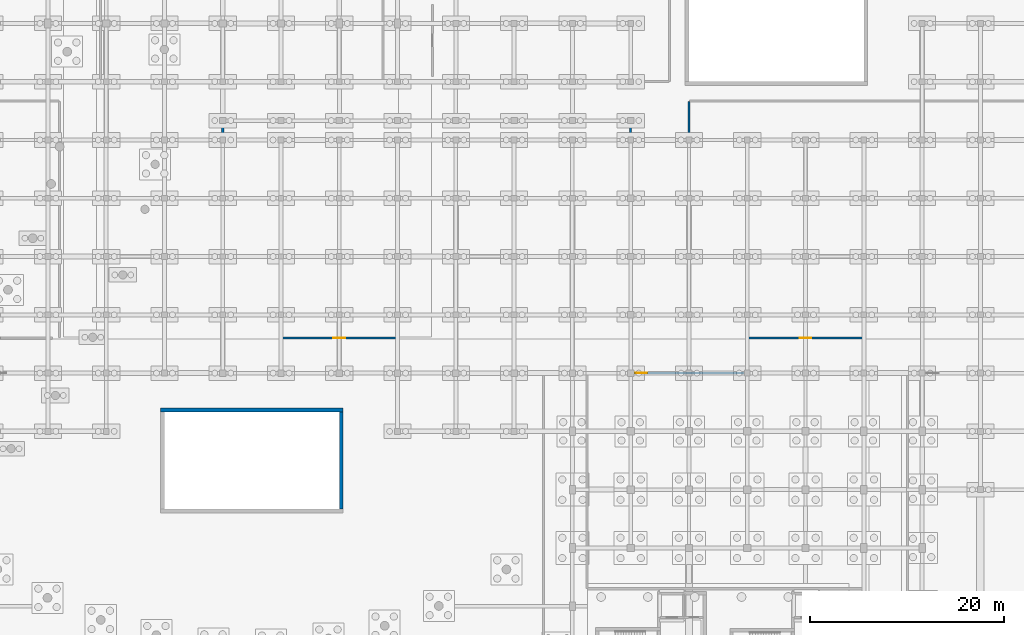
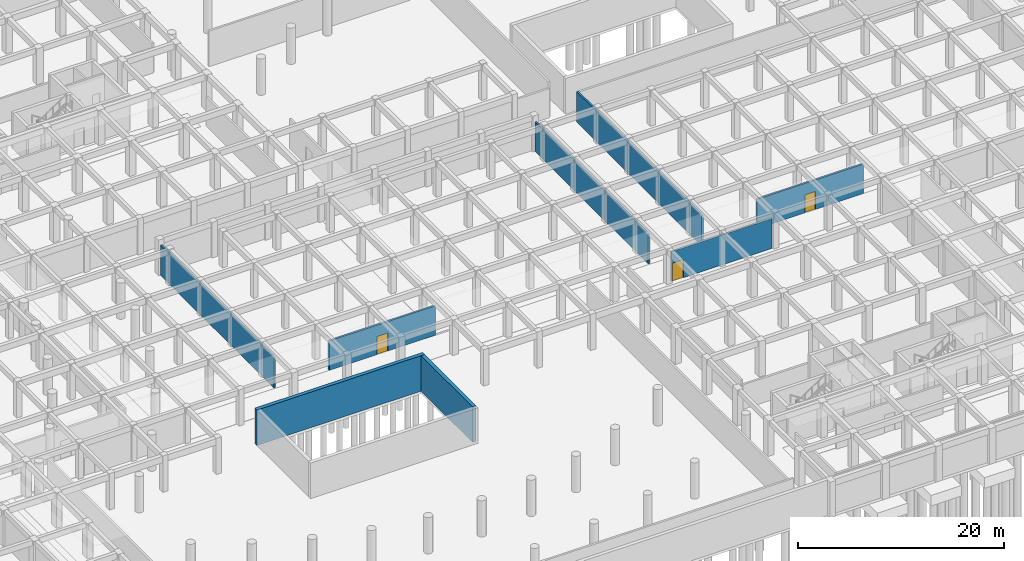
# One storey, part 28 of 41: 8 walls, 3 doors, 3 openings.
"""IFC4 building model written with IfcOpenShell, lengths in metres."""

import ifcopenshell
import ifcopenshell.guid

model = None  # the IFC model being written
_history = None  # IfcOwnerHistory: only IFC2X3 demands one
_inside = {}  # id of a spatial element -> (the spatial element, [elements in it])
_under = {}  # id of a project, library or spatial element -> (it, [spatial elements below it])
_declared = {}  # id of a project -> (the project, [libraries it declares])
_typed = {}  # id of a type object -> (the type object, [elements of that type])
_made_of = {}  # id of a material, layer set ... -> (it, [elements and type objects made of it])


def new_model(schema):
    """Start an empty IFC model of exactly this schema.

    Asked for "IFC4X3", IfcOpenShell would pick the latest addendum, in which some entities
    have other attributes; the version numbers below select the first issue.
    IFC2X3 requires an IfcOwnerHistory on every rooted entity: one is made here for all.
    """
    global model, _history
    if schema == "IFC4X3":
        model = ifcopenshell.file(schema_version=(4, 3, 0, 0))
    else:
        model = ifcopenshell.file(schema=schema)
    _inside.clear()
    _under.clear()
    _declared.clear()
    _typed.clear()
    _made_of.clear()
    _history = None
    if model.schema == "IFC2X3":
        org = make("IfcOrganization", Name="unknown")
        user = make(
            "IfcPersonAndOrganization",
            ThePerson=make("IfcPerson", FamilyName="unknown"),
            TheOrganization=org,
        )
        app = make(
            "IfcApplication",
            ApplicationDeveloper=org,
            Version="unknown",
            ApplicationFullName="unknown",
            ApplicationIdentifier="unknown",
        )
        _history = make(
            "IfcOwnerHistory",
            OwningUser=user,
            OwningApplication=app,
            ChangeAction="ADDED",
            CreationDate=0,
        )
    return model


def make(cls, **values):
    """One entity of the class cls with the attributes given. An attribute that is None is left unset."""
    return model.create_entity(
        cls, **{name: value for name, value in values.items() if value is not None}
    )


def rooted(cls, **values):
    """An entity with a GlobalId (a new one), such as an element, a storey or a relation."""
    return make(cls, GlobalId=ifcopenshell.guid.new(), OwnerHistory=_history, **values)


def si_unit(unit_type, name, prefix=None):
    """IfcSIUnit, for example si_unit("LENGTHUNIT", "METRE", prefix="MILLI")."""
    return make("IfcSIUnit", UnitType=unit_type, Prefix=prefix, Name=name)


def assignment(units):
    """IfcUnitAssignment: the units of a project."""
    return None if units is None else make("IfcUnitAssignment", Units=units)


def point(xyz):
    """IfcCartesianPoint."""
    return None if xyz is None else make("IfcCartesianPoint", Coordinates=xyz)


def direction(xyz):
    """IfcDirection."""
    return None if xyz is None else make("IfcDirection", DirectionRatios=xyz)


def frame(location, z_axis=None, x_axis=None):
    """IfcAxis2Placement3D, a coordinate frame: its origin and axes. An axis left out is left unset."""
    return make(
        "IfcAxis2Placement3D",
        Location=point(location),
        Axis=direction(z_axis),
        RefDirection=direction(x_axis),
    )


def frame_2d(location, x_axis=None):
    """IfcAxis2Placement2D, a coordinate frame in the plane: its origin and x axis."""
    return make(
        "IfcAxis2Placement2D", Location=point(location), RefDirection=direction(x_axis)
    )


def origin():
    """The frame at (0, 0, 0) with its axes left unset."""
    return frame((0.0, 0.0, 0.0))


def place(relative_to, where):
    """IfcLocalPlacement: puts the frame where relative to a parent placement (None: the world)."""
    return make(
        "IfcLocalPlacement", PlacementRelTo=relative_to, RelativePlacement=where
    )


def context(
    kind, dimensions, precision=None, world=None, true_north=None, identifier=None
):
    """IfcGeometricRepresentationContext, for example the 3D "Model" context."""
    return make(
        "IfcGeometricRepresentationContext",
        ContextIdentifier=identifier,
        ContextType=kind,
        CoordinateSpaceDimension=dimensions,
        Precision=precision,
        WorldCoordinateSystem=world,
        TrueNorth=true_north,
    )


def subcontext(parent, identifier, kind, view, scale=None):
    """IfcGeometricRepresentationSubContext, for example "Body" below "Model"."""
    return make(
        "IfcGeometricRepresentationSubContext",
        ContextIdentifier=identifier,
        ContextType=kind,
        ParentContext=parent,
        TargetScale=scale,
        TargetView=view,
    )


def project(units=None, contexts=None):
    """IfcProject with its units and contexts."""
    return rooted(
        "IfcProject",
        Name="project",
        RepresentationContexts=contexts,
        UnitsInContext=assignment(units),
    )


def spatial(cls, under=None, at=None, **own):
    """A site, building, storey or space (cls), placed at a placement, below another one or the project."""
    s = rooted(cls, ObjectPlacement=at, **own)
    if under is not None:
        _under.setdefault(under.id(), (under, []))[1].append(s)
    return s


def profile(cls, at=None, kind="AREA", **sizes):
    """A parametric profile (cls). Its sizes go by their IFC names, for example OverallWidth=200.0."""
    return make(cls, ProfileType=kind, Position=at, **sizes)


def rectangle(**sizes):
    """IfcRectangleProfileDef."""
    return profile("IfcRectangleProfileDef", **sizes)


def extrude(swept, where, along, depth):
    """IfcExtrudedAreaSolid: the profile swept, set in the frame where, extruded along a direction by depth."""
    return make(
        "IfcExtrudedAreaSolid",
        SweptArea=swept,
        Position=where,
        ExtrudedDirection=direction(along),
        Depth=depth,
    )


def shape(context_of_items, identifier, shape_type, items):
    """IfcShapeRepresentation: the items that make up one representation, for example the "Body"."""
    return make(
        "IfcShapeRepresentation",
        ContextOfItems=context_of_items,
        RepresentationIdentifier=identifier,
        RepresentationType=shape_type,
        Items=items,
    )


def material(Name=None, Category=None):
    """IfcMaterial."""
    return make("IfcMaterial", Name=Name, Category=Category)


def layer(
    of_material, thickness, ventilated=None, Name=None, Category=None, Priority=None
):
    """IfcMaterialLayer: one layer of a wall or slab, of a material (None: an air gap)."""
    return make(
        "IfcMaterialLayer",
        Material=of_material,
        LayerThickness=thickness,
        IsVentilated=ventilated,
        Name=Name,
        Category=Category,
        Priority=Priority,
    )


def layer_set(layers, Name=None):
    """IfcMaterialLayerSet."""
    return make("IfcMaterialLayerSet", MaterialLayers=layers, LayerSetName=Name)


def made_of(thing, what):
    """Note that an element or type object is made of a material, layer set ...; save() writes the relation."""
    if what is not None:
        _made_of.setdefault(what.id(), (what, []))[1].append(thing)
    return thing


def type_object(cls, material=None, **own):
    """A type object (cls), such as IfcWallType, which elements share."""
    return made_of(rooted(cls, **own), material)


def element(
    cls,
    number,
    at=None,
    inside=None,
    cuts=None,
    type_object=None,
    material=None,
    context=None,
    identifier="Body",
    shape_type=None,
    held_by="IfcProductDefinitionShape",
    body=None,
    shapes=None,
    **own,
):
    """One element of the class cls, such as IfcWall. Its Tag is "e" and its number.

    at: its placement. inside: the storey or other place that contains it. cuts: it is an
    opening in that element (IfcRelVoidsElement). A single representation is given by context,
    identifier, shape_type and body (its items); several are given by shapes. held_by: the class
    of the entity that holds the representations. save() writes the other relations.
    """
    e = rooted(cls, Tag="e%d" % number, ObjectPlacement=at, **own)
    if body is not None:
        shapes = [shape(context, identifier, shape_type, body)]
    if shapes is not None:
        e.Representation = make(held_by, Representations=shapes)
    if inside is not None:
        _inside.setdefault(inside.id(), (inside, []))[1].append(e)
    if cuts is not None:
        rooted(
            "IfcRelVoidsElement", RelatingBuildingElement=cuts, RelatedOpeningElement=e
        )
    if type_object is not None:
        _typed.setdefault(type_object.id(), (type_object, []))[1].append(e)
    return made_of(e, material)


def fill(opening, filler):
    """IfcRelFillsElement: the door or window that sits in an opening."""
    return rooted(
        "IfcRelFillsElement",
        RelatingOpeningElement=opening,
        RelatedBuildingElement=filler,
    )


def aggregate(whole, parts):
    """IfcRelAggregates: a whole, such as a stair, and the parts it consists of."""
    return rooted("IfcRelAggregates", RelatingObject=whole, RelatedObjects=parts)


def save(model, path):
    """Write the relations noted so far, then the file.

    IfcRelAggregates (storeys below a building ...), IfcRelContainedInSpatialStructure (elements
    in a storey), IfcRelDefinesByType, IfcRelAssociatesMaterial and IfcRelDeclares: one each for
    every whole, place, type object, material and project.
    """
    for whole, parts in _under.values():
        aggregate(whole, parts)
    for where, things in _inside.values():
        rooted(
            "IfcRelContainedInSpatialStructure",
            RelatedElements=things,
            RelatingStructure=where,
        )
    for kind, things in _typed.values():
        rooted("IfcRelDefinesByType", RelatedObjects=things, RelatingType=kind)
    for what, things in _made_of.values():
        rooted("IfcRelAssociatesMaterial", RelatedObjects=things, RelatingMaterial=what)
    for by, libraries in _declared.values():
        rooted("IfcRelDeclares", RelatingContext=by, RelatedDefinitions=libraries)
    model.write(path)


model = new_model("IFC4")

# Units and contexts
model_context = context("Model", 3, precision=1e-05, world=origin(), true_north=direction((0.0, 1.0)))
body_context = subcontext(model_context, "Body", "Model", "MODEL_VIEW")
ifc_project = project(units=[si_unit("LENGTHUNIT", "METRE"), si_unit("AREAUNIT", "SQUARE_METRE"), si_unit("VOLUMEUNIT", "CUBIC_METRE"), si_unit("PLANEANGLEUNIT", "RADIAN"), si_unit("MASSUNIT", "GRAM", prefix="KILO"), si_unit("POWERUNIT", "WATT"), si_unit("THERMODYNAMICTEMPERATUREUNIT", "KELVIN")], contexts=[model_context])

# Site, building, storey
site_placement = place(None, origin())
site = spatial("IfcSite", under=ifc_project, at=site_placement, CompositionType="ELEMENT")
building_placement = place(site_placement, origin())
building = spatial("IfcBuilding", under=site, at=building_placement, Name="Ruvembo Vaulted Housing Court", CompositionType="ELEMENT")
storey_placement = place(building_placement, frame((0.0, 0.0, -4.5)))
storey = spatial("IfcBuildingStorey", under=building, at=storey_placement, Name="B1", CompositionType="ELEMENT", Elevation=-4.5)

# Wall, opening, door
ifc_material_1 = material(Name="Concrete Blockwork 210", Category="masonry")
ifc_layer_1 = layer(ifc_material_1, 0.2099609375, Name="Concrete Blockwork 210")
ifc_layer_set_1 = layer_set([ifc_layer_1], Name="Concrete Blockwork 210")
wall_type_1 = type_object("IfcWallType", Name="WL-CORR-210", PredefinedType="SOLIDWALL", material=ifc_layer_set_1)
wall_1_placement = place(storey_placement, frame((108.360107421875, 42.0, 0.0), z_axis=(0.0, 0.0, 1.0), x_axis=(1.0, 0.0, 0.0)))
wall_1 = element("IfcWall", 1, at=wall_1_placement, inside=storey, type_object=wall_type_1, Name="B1 Greywater Treatment & Pump Plant WL-INT-B1-00021", PredefinedType="SOLIDWALL", context=body_context, shape_type="SweptSolid", body=[
    extrude(rectangle(XDim=11.27978515625, YDim=0.2099609375, at=frame_2d((5.639892578125, 0.0))), origin(), (0.0, 0.0, 1.0), 3.547119140625),
])
opening_1_placement = place(wall_1_placement, frame((0.1298828125, 0.0, 0.0)))
opening_1 = element("IfcOpeningElement", 2, at=opening_1_placement, cuts=wall_1, Name="Opening PD1", PredefinedType="OPENING", context=body_context, shape_type="SweptSolid", body=[
    extrude(rectangle(XDim=1.199951171875, YDim=2.14990234375, at=frame_2d((0.60009765625, 1.074951171875))), frame((0.0, 0.114990234375, 0.0), z_axis=(0.0, -1.0, 0.0), x_axis=(1.0, 0.0, 0.0)), (0.0, 0.0, 1.0), 0.22998046875),
])
ifc_material_2 = material(Name="Galvanised Painted Steel", Category="steel")
door_type = type_object("IfcDoorType", Name="DR-PLANT-1200x2150", OperationType="NOTDEFINED", PredefinedType="DOOR", material=ifc_material_2)
door_1_placement = place(opening_1_placement, origin())
door_1 = element("IfcDoor", 3, at=door_1_placement, inside=storey, type_object=door_type, Name="B1 Greywater Treatment & Pump Plant Door DR-INT-B1-00006", OperationType="SINGLE_SWING_RIGHT", OverallHeight=2.14990234375, OverallWidth=1.199951171875, PredefinedType="DOOR", context=body_context, shape_type="SweptSolid", body=[
    extrude(rectangle(XDim=1.199951171875, YDim=2.14990234375, at=frame_2d((0.60009765625, 1.074951171875))), frame((0.0, 0.02490234375, 0.0), z_axis=(0.0, -1.0, 0.0), x_axis=(1.0, 0.0, 0.0)), (0.0, 0.0, 1.0), 0.050048828125),
])
fill(opening_1, door_1)

wall_2_placement = place(storey_placement, frame((72.0400390625, 45.60009765625, 0.0), z_axis=(0.0, 0.0, 1.0), x_axis=(1.0, 0.0, 0.0)))
wall_2 = element("IfcWall", 4, at=wall_2_placement, inside=storey, type_object=wall_type_1, Name="B1 Community Hall Understage & Acoustic Store WL-INT-B1-00033", PredefinedType="SOLIDWALL", context=body_context, shape_type="SweptSolid", body=[
    extrude(rectangle(XDim=11.919921875, YDim=0.2099609375, at=frame_2d((5.9599609375, 0.0))), origin(), (0.0, 0.0, 1.0), 3.4970703125),
])
opening_2_placement = place(wall_2_placement, frame((5.360107421875, 0.0, 0.0)))
opening_2 = element("IfcOpeningElement", 5, at=opening_2_placement, cuts=wall_2, Name="Opening PD1", PredefinedType="OPENING", context=body_context, shape_type="SweptSolid", body=[
    extrude(rectangle(XDim=1.199951171875, YDim=2.14990234375, at=frame_2d((0.60009765625, 1.074951171875))), frame((0.0, 0.114990234375, 0.0), z_axis=(0.0, -1.0, 0.0), x_axis=(1.0, 0.0, 0.0)), (0.0, 0.0, 1.0), 0.22998046875),
])
door_2_placement = place(opening_2_placement, origin())
door_2 = element("IfcDoor", 6, at=door_2_placement, inside=storey, type_object=door_type, Name="B1 Community Hall Understage & Acoustic Store Door DR-INT-B1-00009", OperationType="SINGLE_SWING_LEFT", OverallHeight=2.14990234375, OverallWidth=1.199951171875, PredefinedType="DOOR", context=body_context, shape_type="SweptSolid", body=[
    extrude(rectangle(XDim=1.199951171875, YDim=2.14990234375, at=frame_2d((0.60009765625, 1.074951171875))), frame((0.0, 0.02490234375, 0.0), z_axis=(0.0, -1.0, 0.0), x_axis=(1.0, 0.0, 0.0)), (0.0, 0.0, 1.0), 0.050048828125),
])
fill(opening_2, door_2)

# Walls
wall_3_placement = place(storey_placement, frame((108.0, 45.639892578125, 0.0), z_axis=(0.0, 0.0, 1.0), x_axis=(0.0, 1.0, 0.0)))
element("IfcWall", 7, at=wall_3_placement, inside=storey, type_object=wall_type_1, Name="B1 Community Hall Understage & Acoustic Store WL-INT-B1-00034", PredefinedType="SOLIDWALL", context=body_context, shape_type="SweptSolid", body=[
    extrude(rectangle(XDim=22.0, YDim=0.2099609375, at=frame_2d((11.0, 0.0))), origin(), (0.0, 0.0, 1.0), 3.4970703125),
])
wall_4_placement = place(storey_placement, frame((66.0, 67.639892578125, 0.0), z_axis=(0.0, 0.0, 1.0), x_axis=(0.0, -1.0, 0.0)))
element("IfcWall", 8, at=wall_4_placement, inside=storey, type_object=wall_type_1, Name="B1 Community Hall Understage & Acoustic Store WL-INT-B1-00036", PredefinedType="SOLIDWALL", context=body_context, shape_type="SweptSolid", body=[
    extrude(rectangle(XDim=22.0, YDim=0.2099609375, at=frame_2d((11.0, 0.0))), origin(), (0.0, 0.0, 1.0), 3.596923828125),
])

# Wall, opening, door
wall_5_placement = place(storey_placement, frame((120.0400390625, 45.60009765625, 0.0), z_axis=(0.0, 0.0, 1.0), x_axis=(1.0, 0.0, 0.0)))
wall_5 = element("IfcWall", 9, at=wall_5_placement, inside=storey, type_object=wall_type_1, Name="B1 Cooperative Food & Seed Preservation Vault WL-INT-B1-00052", PredefinedType="SOLIDWALL", context=body_context, shape_type="SweptSolid", body=[
    extrude(rectangle(XDim=11.919921875, YDim=0.2099609375, at=frame_2d((5.9599609375, 0.0))), origin(), (0.0, 0.0, 1.0), 3.4970703125),
])
opening_3_placement = place(wall_5_placement, frame((5.360107421875, 0.0, 0.0)))
opening_3 = element("IfcOpeningElement", 10, at=opening_3_placement, cuts=wall_5, Name="Opening PD1", PredefinedType="OPENING", context=body_context, shape_type="SweptSolid", body=[
    extrude(rectangle(XDim=1.199951171875, YDim=2.14990234375, at=frame_2d((0.60009765625, 1.074951171875))), frame((0.0, 0.114990234375, 0.0), z_axis=(0.0, -1.0, 0.0), x_axis=(1.0, 0.0, 0.0)), (0.0, 0.0, 1.0), 0.22998046875),
])
door_3_placement = place(opening_3_placement, origin())
door_3 = element("IfcDoor", 11, at=door_3_placement, inside=storey, type_object=door_type, Name="B1 Cooperative Food & Seed Preservation Vault Door DR-INT-B1-00014", OperationType="SINGLE_SWING_RIGHT", OverallHeight=2.14990234375, OverallWidth=1.199951171875, PredefinedType="DOOR", context=body_context, shape_type="SweptSolid", body=[
    extrude(rectangle(XDim=1.199951171875, YDim=2.14990234375, at=frame_2d((0.60009765625, 1.074951171875))), frame((0.0, 0.02490234375, 0.0), z_axis=(0.0, -1.0, 0.0), x_axis=(1.0, 0.0, 0.0)), (0.0, 0.0, 1.0), 0.050048828125),
])
fill(opening_3, door_3)

# Walls
wall_6_placement = place(storey_placement, frame((114.0, 69.9599609375, 0.0), z_axis=(0.0, 0.0, 1.0), x_axis=(0.0, -1.0, 0.0)))
element("IfcWall", 12, at=wall_6_placement, inside=storey, type_object=wall_type_1, Name="B1 Cooperative Food & Seed Preservation Vault WL-INT-B1-00055", PredefinedType="SOLIDWALL", context=body_context, shape_type="SweptSolid", body=[
    extrude(rectangle(XDim=24.320068359375, YDim=0.2099609375, at=frame_2d((12.16015625, 0.0))), origin(), (0.0, 0.0, 1.0), 3.596923828125),
])
ifc_material_3 = material(Name="Concrete C35/45", Category="concrete")
ifc_layer_2 = layer(ifc_material_3, 0.39990234375, Name="Concrete C35/45")
ifc_layer_set_2 = layer_set([ifc_layer_2], Name="Concrete C35/45")
wall_type_2 = type_object("IfcWallType", Name="WL-RET-400", PredefinedType="USERDEFINED", material=ifc_layer_set_2)
wall_7_placement = place(storey_placement, frame((78.39990234375, 38.199951171875, 0.0), z_axis=(0.0, 0.0, 1.0), x_axis=(-1.0, 0.0, 0.0)))
element("IfcWall", 13, at=wall_7_placement, inside=storey, type_object=wall_type_2, Name="South Jacaranda Forecourt Tree-Pit Retaining Wall N", ObjectType="RETAININGWALL", PredefinedType="USERDEFINED", context=body_context, shape_type="SweptSolid", body=[
    extrude(rectangle(XDim=18.7998046875, YDim=0.39990234375, at=frame_2d((9.39990234375, 0.0))), origin(), (0.0, 0.0, 1.0), 4.215087890625),
])
wall_8_placement = place(storey_placement, frame((78.199951171875, 38.0, 0.0), z_axis=(0.0, 0.0, 1.0), x_axis=(0.0, -1.0, 0.0)))
element("IfcWall", 14, at=wall_8_placement, inside=storey, type_object=wall_type_2, Name="South Jacaranda Forecourt Tree-Pit Retaining Wall E", ObjectType="RETAININGWALL", PredefinedType="USERDEFINED", context=body_context, shape_type="SweptSolid", body=[
    extrude(rectangle(XDim=10.0, YDim=0.39990234375, at=frame_2d((5.0, 0.0))), origin(), (0.0, 0.0, 1.0), 4.215087890625),
])

save(model, "model.ifc")
